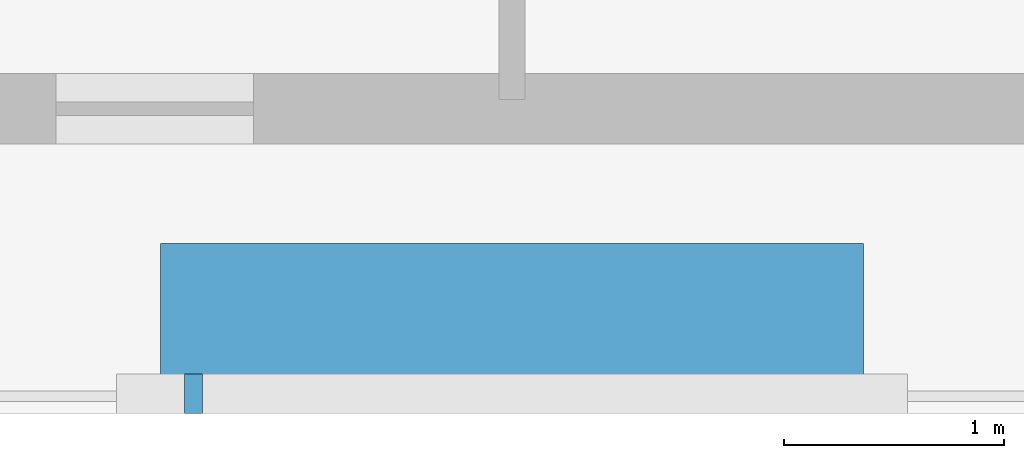
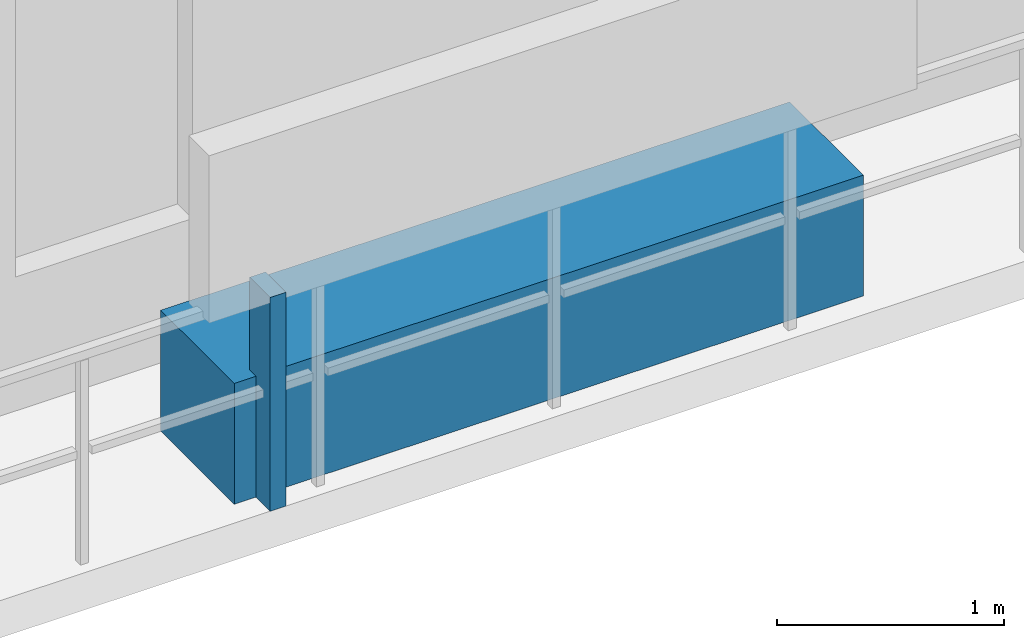
# One storey, part 29 of 34: 2 discrete accessories.
"""IFC4 building model written with IfcOpenShell, lengths in metres."""

from ifc_helpers import new_model, si_unit, direction, frame, origin, origin_2d, place, context, subcontext, project, spatial, rectangle, extrude, material, type_object, element, save


model = new_model("IFC4")

# Units and contexts
model_context = context("Model", 3, precision=1e-05, world=origin(), true_north=direction((0.0, 1.0)))
body_context = subcontext(model_context, "Body", "Model", "MODEL_VIEW")
ifc_project = project(units=[si_unit("LENGTHUNIT", "METRE"), si_unit("AREAUNIT", "SQUARE_METRE"), si_unit("VOLUMEUNIT", "CUBIC_METRE"), si_unit("PLANEANGLEUNIT", "RADIAN"), si_unit("MASSUNIT", "GRAM", prefix="KILO")], contexts=[model_context])

# Site, building, storey
site_placement = place(None, origin())
site = spatial("IfcSite", under=ifc_project, at=site_placement, CompositionType="ELEMENT")
building_placement = place(site_placement, origin())
building = spatial("IfcBuilding", under=site, at=building_placement, Name="Thornwick Lancets Civic Towers", CompositionType="ELEMENT")
storey_placement = place(building_placement, frame((0.0, 0.0, 53.699951171875)))
storey = spatial("IfcBuildingStorey", under=building, at=storey_placement, Name="L13", CompositionType="ELEMENT", Elevation=53.699951171875)

# Discrete accessories
ifc_material_1 = material(Name="Planted terracotta greenery planter", Category="masonry")
discrete_accessory_type_1 = type_object("IfcDiscreteAccessoryType", Name="ACC_PLANTER_BOX", PredefinedType="USERDEFINED", material=ifc_material_1)
discrete_accessory_1_placement = place(storey_placement, frame((25.5, 1.800048828125, 0.0), z_axis=(0.0, 0.0, 1.0), x_axis=(1.0, 0.0, 0.0)))
element("IfcDiscreteAccessory", 1, at=discrete_accessory_1_placement, inside=storey, type_object=discrete_accessory_type_1, Name="L13 Tower A Balcony Greenery Planter S", ObjectType="PLANTER", PredefinedType="USERDEFINED", context=body_context, shape_type="SweptSolid", body=[
    extrude(rectangle(XDim=3.199951171875, YDim=0.64990234375, at=origin_2d()), origin(), (0.0, 0.0, 1.0), 0.64990234375),
])
ifc_material_2 = material(Name="Stainless steel S355", Category="steel")
discrete_accessory_type_2 = type_object("IfcDiscreteAccessoryType", Name="ACC_SCREEN_BRACKET", PredefinedType="BRACKET", material=ifc_material_2)
discrete_accessory_2_placement = place(storey_placement, frame((24.050048828125, 1.43994140625, 0.0), z_axis=(0.0, 0.0, 1.0), x_axis=(1.0, 0.0, 0.0)))
element("IfcDiscreteAccessory", 2, at=discrete_accessory_2_placement, inside=storey, type_object=discrete_accessory_type_2, Name="L13 Tower A Balcony Screen Stanchion Bracket S-1", PredefinedType="BRACKET", context=body_context, shape_type="SweptSolid", body=[
    extrude(rectangle(XDim=0.080078125, YDim=0.179931640625, at=origin_2d()), origin(), (0.0, 0.0, 1.0), 1.14990234375),
])

save(model, "model.ifc")
